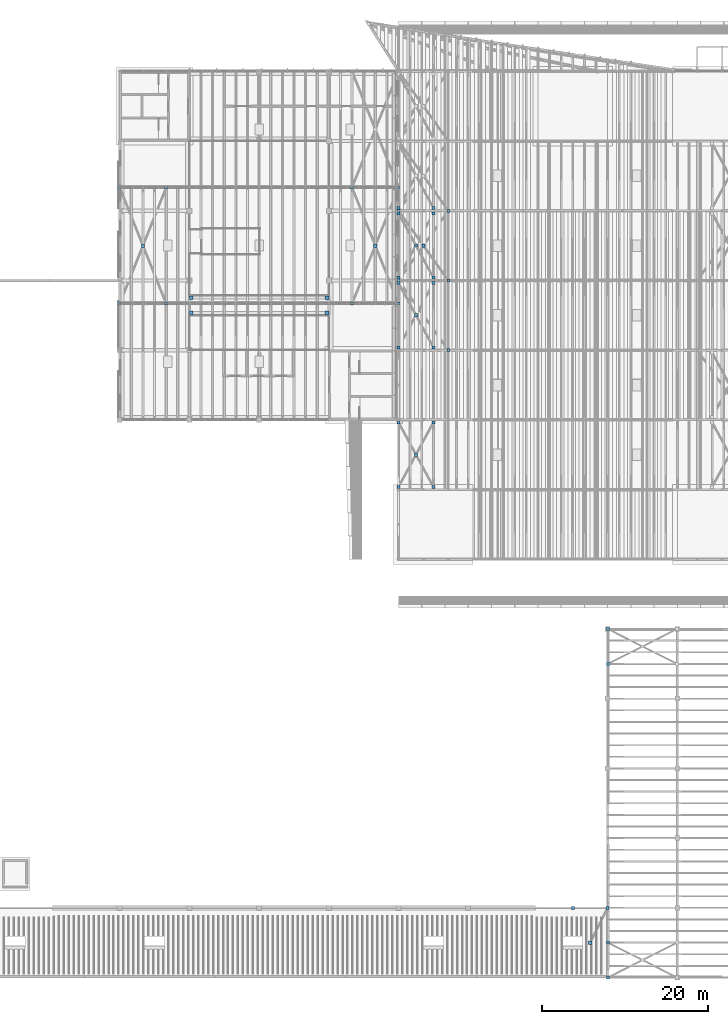
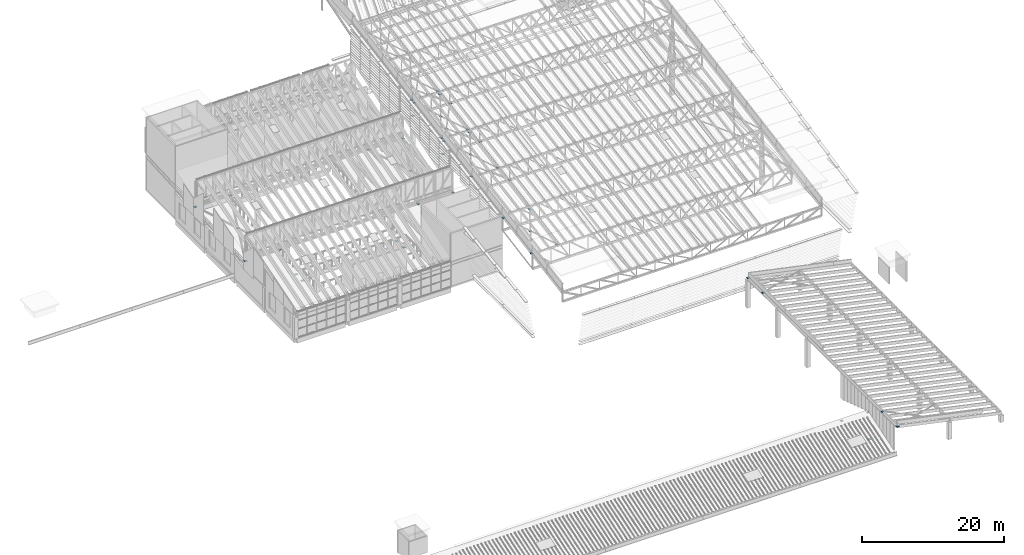
# One storey, part 68 of 91: 44 discrete accessories.
"""IFC4 building model written with IfcOpenShell, lengths in metres."""

from ifc_helpers import new_model, si_unit, direction, frame, origin, origin_2d, place, context, subcontext, project, spatial, rectangle, extrude, material, type_object, element, save


model = new_model("IFC4")

# Units and contexts
model_context = context("Model", 3, precision=1e-05, world=origin(), true_north=direction((0.0, 1.0)))
body_context = subcontext(model_context, "Body", "Model", "MODEL_VIEW")
ifc_project = project(units=[si_unit("LENGTHUNIT", "METRE"), si_unit("AREAUNIT", "SQUARE_METRE"), si_unit("VOLUMEUNIT", "CUBIC_METRE"), si_unit("PLANEANGLEUNIT", "RADIAN"), si_unit("MASSUNIT", "GRAM", prefix="KILO")], contexts=[model_context])

# Site, building, storey
site_placement = place(None, origin())
site = spatial("IfcSite", under=ifc_project, at=site_placement, CompositionType="ELEMENT")
building_placement = place(site_placement, origin())
building = spatial("IfcBuilding", under=site, at=building_placement, Name="Almond Square Museum", CompositionType="ELEMENT")
storey_placement = place(building_placement, frame((0.0, 0.0, 30.0)))
storey = spatial("IfcBuildingStorey", under=building, at=storey_placement, Name="L05", CompositionType="ELEMENT", Elevation=30.0)

# Discrete accessories
ifc_material_1 = material(Name="Structural steel S355", Category="steel")
discrete_accessory_type_1 = type_object("IfcDiscreteAccessoryType", Name="Brace crossing plate", PredefinedType="BRACKET", material=ifc_material_1)
for number, where, z_axis, x_axis, name in (
    (1, (76.0, 88.199951171875, 5.09521484375), (0.0, 0.0, 1.0), (1.0, 0.0, 0.0), "Brace crossing plate"),
    (2, (104.0, 88.199951171875, 5.09521484375), (0.0, 0.0, 1.0), (1.0, 0.0, 0.0), "Brace crossing plate"),
    (3, (109.800048828125, 88.199951171875, 10.304931640625), (0.0, 0.0, 1.0), (1.0, 0.0, 0.0), "Brace crossing plate"),
    (4, (108.89990234375, 63.014892578125, 8.34228515625), (0.0, 0.0, 1.0), (1.0, 0.0, 0.0), "Brace crossing plate"),
    (5, (108.89990234375, 79.81494140625, 11.2822265625), (0.0, 0.0, 1.0), (1.0, 0.0, 0.0), "Brace crossing plate"),
    (6, (108.89990234375, 88.215087890625, 12.752197265625), (0.0, 0.0, 1.0), (1.0, 0.0, 0.0), "Brace crossing plate"),
    (7, (129.89990234375, 4.199951171875, 0.986572265625), (0.0, 0.0, 1.0), (1.0, 0.0, 0.0), "Brace crossing plate"),
):
    element("IfcDiscreteAccessory", number, at=place(storey_placement, frame(where, z_axis=z_axis, x_axis=x_axis)), inside=storey, type_object=discrete_accessory_type_1, Name=name, PredefinedType="BRACKET", context=body_context, shape_type="SweptSolid", body=[
        extrude(rectangle(XDim=0.39990234375, YDim=0.39990234375, at=origin_2d()), origin(), (0.0, 0.0, 1.0), 0.02001953125),
    ])
ifc_material_2 = material(Name="Structural steel S355", Category="steel")
discrete_accessory_type_2 = type_object("IfcDiscreteAccessoryType", Name="Brace end plate", PredefinedType="BRACKET", material=ifc_material_2)
for number, where, z_axis, x_axis, name in (
    (8, (112.800048828125, 75.60009765625, 8.09521484375), (0.0, 0.0, 1.0), (1.0, 0.0, 0.0), "Brace end plate"),
    (9, (106.800048828125, 84.0, 9.56494140625), (0.0, 0.0, 1.0), (1.0, 0.0, 0.0), "Brace end plate"),
    (10, (112.800048828125, 92.39990234375, 11.03515625), (0.0, 0.0, 1.0), (1.0, 0.0, 0.0), "Brace end plate"),
    (11, (112.800048828125, 84.0, 9.56494140625), (0.0, 0.0, 1.0), (1.0, 0.0, 0.0), "Brace end plate"),
    (12, (106.800048828125, 92.39990234375, 11.03515625), (0.0, 0.0, 1.0), (1.0, 0.0, 0.0), "Brace end plate"),
    (13, (106.800048828125, 59.1298828125, 7.6572265625), (0.0, 0.0, 1.0), (1.0, 0.0, 0.0), "Brace end plate"),
    (14, (111.0, 66.89990234375, 9.01708984375), (0.0, 0.0, 1.0), (1.0, 0.0, 0.0), "Brace end plate"),
    (15, (111.0, 59.1298828125, 7.6572265625), (0.0, 0.0, 1.0), (1.0, 0.0, 0.0), "Brace end plate"),
    (16, (106.800048828125, 66.89990234375, 9.01708984375), (0.0, 0.0, 1.0), (1.0, 0.0, 0.0), "Brace end plate"),
    (17, (106.800048828125, 75.929931640625, 10.59716796875), (0.0, 0.0, 1.0), (1.0, 0.0, 0.0), "Brace end plate"),
    (18, (111.0, 83.699951171875, 11.95703125), (0.0, 0.0, 1.0), (1.0, 0.0, 0.0), "Brace end plate"),
    (19, (111.0, 75.929931640625, 10.59716796875), (0.0, 0.0, 1.0), (1.0, 0.0, 0.0), "Brace end plate"),
    (20, (106.800048828125, 83.699951171875, 11.95703125), (0.0, 0.0, 1.0), (1.0, 0.0, 0.0), "Brace end plate"),
    (21, (106.800048828125, 84.330078125, 12.0673828125), (0.0, 0.0, 1.0), (1.0, 0.0, 0.0), "Brace end plate"),
    (22, (111.0, 92.10009765625, 13.42724609375), (0.0, 0.0, 1.0), (1.0, 0.0, 0.0), "Brace end plate"),
    (23, (111.0, 84.330078125, 12.0673828125), (0.0, 0.0, 1.0), (1.0, 0.0, 0.0), "Brace end plate"),
    (24, (106.800048828125, 92.10009765625, 13.42724609375), (0.0, 0.0, 1.0), (1.0, 0.0, 0.0), "Brace end plate"),
    (25, (106.800048828125, 92.72998046875, 13.53759765625), (0.0, 0.0, 1.0), (1.0, 0.0, 0.0), "Brace end plate"),
    (26, (111.0, 92.72998046875, 13.53759765625), (0.0, 0.0, 1.0), (1.0, 0.0, 0.0), "Brace end plate"),
    (27, (73.199951171875, 81.199951171875, 4.68994140625), (0.0, 0.0, 1.0), (1.0, 0.0, 0.0), "Brace end plate"),
    (28, (78.800048828125, 95.199951171875, 5.490234375), (0.0, 0.0, 1.0), (1.0, 0.0, 0.0), "Brace end plate"),
    (29, (78.800048828125, 81.199951171875, 4.68994140625), (0.0, 0.0, 1.0), (1.0, 0.0, 0.0), "Brace end plate"),
    (30, (73.199951171875, 95.199951171875, 5.490234375), (0.0, 0.0, 1.0), (1.0, 0.0, 0.0), "Brace end plate"),
    (31, (101.199951171875, 81.199951171875, 4.68994140625), (0.0, 0.0, 1.0), (1.0, 0.0, 0.0), "Brace end plate"),
    (32, (106.800048828125, 95.199951171875, 5.490234375), (0.0, 0.0, 1.0), (1.0, 0.0, 0.0), "Brace end plate"),
    (33, (106.800048828125, 81.199951171875, 4.68994140625), (0.0, 0.0, 1.0), (1.0, 0.0, 0.0), "Brace end plate"),
    (34, (101.199951171875, 95.199951171875, 5.490234375), (0.0, 0.0, 1.0), (1.0, 0.0, 0.0), "Brace end plate"),
    (35, (127.800048828125, 8.3798828125, 2.33984375), (0.0, 0.0, 1.0), (1.0, 0.0, 0.0), "Brace end plate"),
    (36, (132.0, 8.3798828125, 2.33984375), (0.0, 0.0, 1.0), (1.0, 0.0, 0.0), "Brace end plate"),
    (37, (132.02001953125, 0.0, 4.9794921875), (0.0, 0.0, 1.0), (1.0, 0.0, 0.0), "Brace end plate"),
    (38, (132.02001953125, 4.199951171875, 4.9794921875), (0.0, 0.0, 1.0), (1.0, 0.0, 0.0), "Brace end plate"),
    (39, (132.02001953125, 42.0, 4.9794921875), (0.0, 0.0, 1.0), (1.0, 0.0, 0.0), "Brace end plate"),
    (40, (132.02001953125, 37.800048828125, 4.9794921875), (0.0, 0.0, 1.0), (1.0, 0.0, 0.0), "Brace end plate"),
):
    element("IfcDiscreteAccessory", number, at=place(storey_placement, frame(where, z_axis=z_axis, x_axis=x_axis)), inside=storey, type_object=discrete_accessory_type_2, Name=name, PredefinedType="BRACKET", context=body_context, shape_type="SweptSolid", body=[
        extrude(rectangle(XDim=0.360107421875, YDim=0.360107421875, at=origin_2d()), origin(), (0.0, 0.0, 1.0), 0.030029296875),
    ])
ifc_material_3 = material(Name="Structural steel S355", Category="steel")
discrete_accessory_type_3 = type_object("IfcDiscreteAccessoryType", Name="Bridge girder seat bracket", PredefinedType="BRACKET", material=ifc_material_3)
for number, where, z_axis, x_axis, name in (
    (41, (81.824951171875, 80.10009765625, -1.03515625), (0.0, 0.0, 1.0), (1.0, 0.0, 0.0), "Bridge 7 girder seat bracket (fixed end)"),
    (42, (98.175048828125, 80.10009765625, -1.03515625), (0.0, 0.0, 1.0), (1.0, 0.0, 0.0), "Bridge 7 girder seat bracket (sliding end)"),
    (43, (81.824951171875, 81.89990234375, -1.03515625), (0.0, 0.0, 1.0), (1.0, 0.0, 0.0), "Bridge 7 girder seat bracket (fixed end)"),
    (44, (98.175048828125, 81.89990234375, -1.03515625), (0.0, 0.0, 1.0), (1.0, 0.0, 0.0), "Bridge 7 girder seat bracket (sliding end)"),
):
    element("IfcDiscreteAccessory", number, at=place(storey_placement, frame(where, z_axis=z_axis, x_axis=x_axis)), inside=storey, type_object=discrete_accessory_type_3, Name=name, PredefinedType="BRACKET", context=body_context, shape_type="SweptSolid", body=[
        extrude(rectangle(XDim=0.449951171875, YDim=0.39990234375, at=origin_2d()), origin(), (0.0, 0.0, 1.0), 0.050048828125),
    ])

save(model, "model.ifc")
